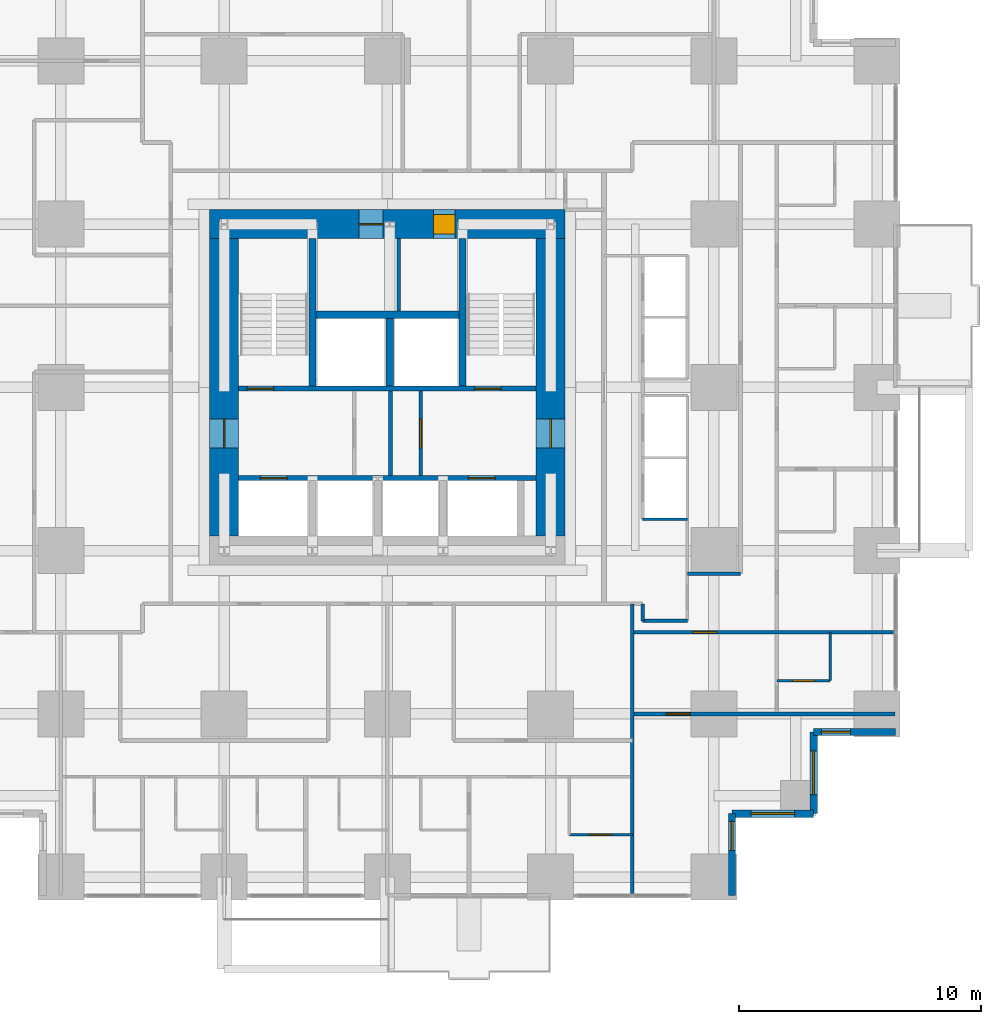
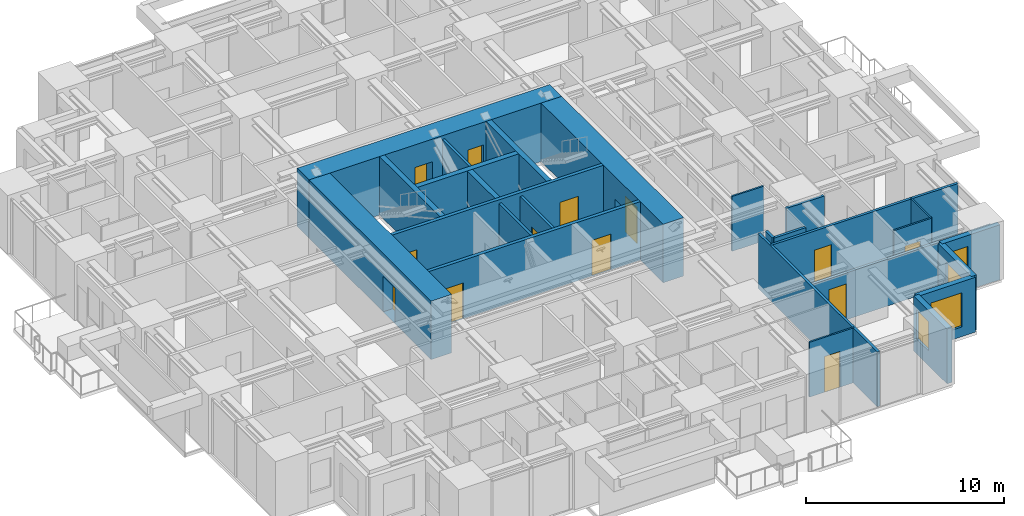
# One storey, part 10 of 14: 26 walls, 13 doors, 4 windows, 17 openings.
"""IFC4 building model written with IfcOpenShell, lengths in metres."""

from ifc_helpers import new_model, si_unit, direction, frame, frame_2d, origin, place, context, subcontext, project, spatial, rectangle, extrude, material, layer, layer_set, type_object, element, fill, save


model = new_model("IFC4")

# Units and contexts
model_context = context("Model", 3, precision=1e-05, world=origin(), true_north=direction((0.0, 1.0)))
body_context = subcontext(model_context, "Body", "Model", "MODEL_VIEW")
ifc_project = project(units=[si_unit("LENGTHUNIT", "METRE"), si_unit("AREAUNIT", "SQUARE_METRE"), si_unit("VOLUMEUNIT", "CUBIC_METRE"), si_unit("PLANEANGLEUNIT", "RADIAN"), si_unit("MASSUNIT", "GRAM", prefix="KILO")], contexts=[model_context])

# Site, building, storey
site_placement = place(None, origin())
site = spatial("IfcSite", under=ifc_project, at=site_placement, CompositionType="ELEMENT")
building_placement = place(site_placement, origin())
building = spatial("IfcBuilding", under=site, at=building_placement, Name="Nyansa Garden Tower", CompositionType="ELEMENT")
storey_placement = place(building_placement, frame((0.0, 0.0, 21.60009765625)))
storey = spatial("IfcBuildingStorey", under=building, at=storey_placement, Name="L05", CompositionType="ELEMENT", Elevation=21.60009765625)

# Wall, openings, doors
ifc_material_1 = material(Name="Concrete C70/85", Category="concrete")
ifc_layer_1 = layer(ifc_material_1, 0.199951171875)
ifc_layer_set_1 = layer_set([ifc_layer_1], Name="Core inner wall CI200")
wall_type_1 = type_object("IfcWallType", Name="Core inner wall CI200", PredefinedType="SHEAR", material=ifc_layer_set_1)
wall_1_placement = place(storey_placement, frame((14.10009765625, 16.5, 0.0), z_axis=(0.0, 0.0, 1.0), x_axis=(1.0, 0.0, 0.0)))
wall_1 = element("IfcWall", 1, at=wall_1_placement, inside=storey, type_object=wall_type_1, Name="Core inner wall L05", PredefinedType="SHEAR", context=body_context, shape_type="SweptSolid", body=[
    extrude(rectangle(XDim=12.2998046875, YDim=0.199951171875, at=frame_2d((6.14990234375, 0.0))), origin(), (0.0, 0.0, 1.0), 3.599853515625),
])
opening_1_placement = place(wall_1_placement, frame((0.89990234375, 0.0, 0.0)))
opening_1 = element("IfcOpeningElement", 2, at=opening_1_placement, cuts=wall_1, Name="Opening LD-F", PredefinedType="OPENING", context=body_context, shape_type="SweptSolid", body=[
    extrude(rectangle(XDim=1.10009765625, YDim=2.199951171875, at=frame_2d((0.550048828125, 1.10009765625))), frame((0.0, 0.10986328125, 0.0), z_axis=(0.0, -1.0, 0.0), x_axis=(1.0, 0.0, 0.0)), (0.0, 0.0, 1.0), 0.219970703125),
])
opening_2_placement = place(wall_1_placement, frame((9.5, 0.0, 0.0)))
opening_2 = element("IfcOpeningElement", 3, at=opening_2_placement, cuts=wall_1, Name="Opening LD-F", PredefinedType="OPENING", context=body_context, shape_type="SweptSolid", body=[
    extrude(rectangle(XDim=1.10009765625, YDim=2.199951171875, at=frame_2d((0.550048828125, 1.10009765625))), frame((0.0, 0.10986328125, 0.0), z_axis=(0.0, -1.0, 0.0), x_axis=(1.0, 0.0, 0.0)), (0.0, 0.0, 1.0), 0.219970703125),
])
ifc_material_2 = material(Name="Stainless steel centre-opening landing door of the firefighting lift, EN 81-72, E 120", Category="steel")
door_type_1 = type_object("IfcDoorType", Name="Lift landing door LD-F 1100x2200", OperationType="DOUBLE_DOOR_SLIDING", PredefinedType="DOOR", material=ifc_material_2)
door_1_placement = place(opening_1_placement, origin())
door_1 = element("IfcDoor", 4, at=door_1_placement, inside=storey, type_object=door_type_1, Name="Landing door FF1", OperationType="DOUBLE_DOOR_SLIDING", OverallHeight=2.199951171875, OverallWidth=1.10009765625, PredefinedType="DOOR", context=body_context, shape_type="SweptSolid", body=[
    extrude(rectangle(XDim=1.10009765625, YDim=2.199951171875, at=frame_2d((0.550048828125, 1.10009765625))), frame((0.0, 0.02490234375, 0.0), z_axis=(0.0, -1.0, 0.0), x_axis=(1.0, 0.0, 0.0)), (0.0, 0.0, 1.0), 0.050048828125),
])
fill(opening_1, door_1)
door_2_placement = place(opening_2_placement, origin())
door_2 = element("IfcDoor", 5, at=door_2_placement, inside=storey, type_object=door_type_1, Name="Landing door FF2", OperationType="DOUBLE_DOOR_SLIDING", OverallHeight=2.199951171875, OverallWidth=1.10009765625, PredefinedType="DOOR", context=body_context, shape_type="SweptSolid", body=[
    extrude(rectangle(XDim=1.10009765625, YDim=2.199951171875, at=frame_2d((0.550048828125, 1.10009765625))), frame((0.0, 0.02490234375, 0.0), z_axis=(0.0, -1.0, 0.0), x_axis=(1.0, 0.0, 0.0)), (0.0, 0.0, 1.0), 0.050048828125),
])
fill(opening_2, door_2)

wall_2_placement = place(storey_placement, frame((14.10009765625, 20.199951171875, 0.0), z_axis=(0.0, 0.0, 1.0), x_axis=(1.0, 0.0, 0.0)))
wall_2 = element("IfcWall", 6, at=wall_2_placement, inside=storey, type_object=wall_type_1, Name="Core inner wall L05", PredefinedType="SHEAR", context=body_context, shape_type="SweptSolid", body=[
    extrude(rectangle(XDim=12.2998046875, YDim=0.199951171875, at=frame_2d((6.14990234375, 0.0))), origin(), (0.0, 0.0, 1.0), 3.599853515625),
])
opening_3_placement = place(wall_2_placement, frame((0.35009765625, 0.0, 0.0)))
opening_3 = element("IfcOpeningElement", 7, at=opening_3_placement, cuts=wall_2, Name="Opening D05", PredefinedType="OPENING", context=body_context, shape_type="SweptSolid", body=[
    extrude(rectangle(XDim=1.10009765625, YDim=2.199951171875, at=frame_2d((0.550048828125, 1.10009765625))), frame((0.0, 0.10986328125, 0.0), z_axis=(0.0, -1.0, 0.0), x_axis=(1.0, 0.0, 0.0)), (0.0, 0.0, 1.0), 0.219970703125),
])
opening_4_placement = place(wall_2_placement, frame((9.75, 0.0, 0.0)))
opening_4 = element("IfcOpeningElement", 8, at=opening_4_placement, cuts=wall_2, Name="Opening D05", PredefinedType="OPENING", context=body_context, shape_type="SweptSolid", body=[
    extrude(rectangle(XDim=1.10009765625, YDim=2.199951171875, at=frame_2d((0.550048828125, 1.10009765625))), frame((0.0, 0.10986328125, 0.0), z_axis=(0.0, -1.0, 0.0), x_axis=(1.0, 0.0, 0.0)), (0.0, 0.0, 1.0), 0.219970703125),
])
ifc_material_3 = material(Name="Steel door, 120 minute fire resisting", Category="steel")
door_type_2 = type_object("IfcDoorType", Name="Stair door D05 1100x2200", OperationType="SINGLE_SWING_LEFT", PredefinedType="DOOR", material=ifc_material_3)
door_3_placement = place(opening_3_placement, origin())
door_3 = element("IfcDoor", 9, at=door_3_placement, inside=storey, type_object=door_type_2, Name="Stair S1 door", OperationType="SINGLE_SWING_LEFT", OverallHeight=2.199951171875, OverallWidth=1.10009765625, PredefinedType="DOOR", context=body_context, shape_type="SweptSolid", body=[
    extrude(rectangle(XDim=1.10009765625, YDim=2.199951171875, at=frame_2d((0.550048828125, 1.10009765625))), frame((0.0, 0.02490234375, 0.0), z_axis=(0.0, -1.0, 0.0), x_axis=(1.0, 0.0, 0.0)), (0.0, 0.0, 1.0), 0.050048828125),
])
fill(opening_3, door_3)
door_4_placement = place(opening_4_placement, origin())
door_4 = element("IfcDoor", 10, at=door_4_placement, inside=storey, type_object=door_type_2, Name="Stair S2 door", OperationType="SINGLE_SWING_LEFT", OverallHeight=2.199951171875, OverallWidth=1.10009765625, PredefinedType="DOOR", context=body_context, shape_type="SweptSolid", body=[
    extrude(rectangle(XDim=1.10009765625, YDim=2.199951171875, at=frame_2d((0.550048828125, 1.10009765625))), frame((0.0, 0.02490234375, 0.0), z_axis=(0.0, -1.0, 0.0), x_axis=(1.0, 0.0, 0.0)), (0.0, 0.0, 1.0), 0.050048828125),
])
fill(opening_4, door_4)

# Walls
ifc_material_4 = material(Name="Concrete C70/85", Category="concrete")
ifc_layer_2 = layer(ifc_material_4, 0.300048828125)
ifc_layer_set_2 = layer_set([ifc_layer_2], Name="Core inner wall CI300")
wall_type_2 = type_object("IfcWallType", Name="Core inner wall CI300", PredefinedType="SHEAR", material=ifc_layer_set_2)
for number, where, z_axis, x_axis, name in (
    (11, (17.14990234375, 20.300048828125, 0.0), (0.0, 0.0, 1.0), (0.0, 1.0, 0.0), "Core inner wall L05"),
    (12, (23.35009765625, 20.300048828125, 0.0), (0.0, 0.0, 1.0), (0.0, 1.0, 0.0), "Core inner wall L05"),
):
    element("IfcWall", number, at=place(storey_placement, frame(where, z_axis=z_axis, x_axis=x_axis)), inside=storey, type_object=wall_type_2, Name=name, PredefinedType="SHEAR", context=body_context, shape_type="SweptSolid", body=[
        extrude(rectangle(XDim=6.099853515625, YDim=0.300048828125, at=frame_2d((3.0498046875, 0.0))), origin(), (0.0, 0.0, 1.0), 3.599853515625),
    ])
wall_3_placement = place(storey_placement, frame((20.35009765625, 20.300048828125, 0.0), z_axis=(0.0, 0.0, 1.0), x_axis=(0.0, 1.0, 0.0)))
element("IfcWall", 13, at=wall_3_placement, inside=storey, type_object=wall_type_2, Name="Core inner wall L05", PredefinedType="SHEAR", context=body_context, shape_type="SweptSolid", body=[
    extrude(rectangle(XDim=2.800048828125, YDim=0.300048828125, at=frame_2d((1.39990234375, 0.0))), origin(), (0.0, 0.0, 1.0), 3.599853515625),
])
wall_4_placement = place(storey_placement, frame((17.300048828125, 23.25, 0.0), z_axis=(0.0, 0.0, 1.0), x_axis=(1.0, 0.0, 0.0)))
element("IfcWall", 14, at=wall_4_placement, inside=storey, type_object=wall_type_2, Name="Core inner wall L05", PredefinedType="SHEAR", context=body_context, shape_type="SweptSolid", body=[
    extrude(rectangle(XDim=5.89990234375, YDim=0.300048828125, at=frame_2d((2.949951171875, 0.0))), origin(), (0.0, 0.0, 1.0), 3.599853515625),
])

# Wall, opening, door
ifc_material_5 = material(Name="Concrete C80/95", Category="concrete")
ifc_layer_3 = layer(ifc_material_5, 1.199951171875)
ifc_layer_set_3 = layer_set([ifc_layer_3], Name="Core wall CW1200")
wall_type_3 = type_object("IfcWallType", Name="Core wall CW1200", PredefinedType="SHEAR", material=ifc_layer_set_3)
wall_5_placement = place(storey_placement, frame((27.0, 14.10009765625, 0.0), z_axis=(0.0, 0.0, 1.0), x_axis=(0.0, 1.0, 0.0)))
wall_5 = element("IfcWall", 15, at=wall_5_placement, inside=storey, type_object=wall_type_3, Name="Core wall E L05", PredefinedType="SHEAR", context=body_context, shape_type="SweptSolid", body=[
    extrude(rectangle(XDim=12.2998046875, YDim=1.199951171875, at=frame_2d((6.14990234375, 0.0))), origin(), (0.0, 0.0, 1.0), 3.599853515625),
])
opening_5_placement = place(wall_5_placement, frame((3.64990234375, 0.0, 0.0)))
opening_5 = element("IfcOpeningElement", 16, at=opening_5_placement, cuts=wall_5, Name="Opening D06", PredefinedType="OPENING", context=body_context, shape_type="SweptSolid", body=[
    extrude(rectangle(XDim=1.199951171875, YDim=2.199951171875, at=frame_2d((0.60009765625, 1.10009765625))), frame((0.0, 0.60986328125, 0.0), z_axis=(0.0, -1.0, 0.0), x_axis=(1.0, 0.0, 0.0)), (0.0, 0.0, 1.0), 1.219970703125),
])
ifc_material_6 = material(Name="Steel door, 120 minute fire resisting", Category="steel")
door_type_3 = type_object("IfcDoorType", Name="Lobby door D06 1200x2200", OperationType="DOUBLE_DOOR_SINGLE_SWING", PredefinedType="DOOR", material=ifc_material_6)
door_5_placement = place(opening_5_placement, origin())
door_5 = element("IfcDoor", 17, at=door_5_placement, inside=storey, type_object=door_type_3, Name="Lift lobby door east", OperationType="DOUBLE_DOOR_SINGLE_SWING", OverallHeight=2.199951171875, OverallWidth=1.199951171875, PredefinedType="DOOR", context=body_context, shape_type="SweptSolid", body=[
    extrude(rectangle(XDim=1.199951171875, YDim=2.199951171875, at=frame_2d((0.60009765625, 1.10009765625))), frame((0.0, 0.02490234375, 0.0), z_axis=(0.0, -1.0, 0.0), x_axis=(1.0, 0.0, 0.0)), (0.0, 0.0, 1.0), 0.050048828125),
])
fill(opening_5, door_5)

# Wall, openings, doors
wall_6_placement = place(storey_placement, frame((27.60009765625, 27.0, 0.0), z_axis=(0.0, 0.0, 1.0), x_axis=(-1.0, 0.0, 0.0)))
wall_6 = element("IfcWall", 18, at=wall_6_placement, inside=storey, type_object=wall_type_3, Name="Core wall N L05", PredefinedType="SHEAR", context=body_context, shape_type="SweptSolid", body=[
    extrude(rectangle(XDim=14.7001953125, YDim=1.199951171875, at=frame_2d((7.35009765625, 0.0))), origin(), (0.0, 0.0, 1.0), 3.599853515625),
])
opening_6_placement = place(wall_6_placement, frame((4.550048828125, 0.0, 0.0)))
opening_6 = element("IfcOpeningElement", 19, at=opening_6_placement, cuts=wall_6, Name="Opening D15", PredefinedType="OPENING", context=body_context, shape_type="SweptSolid", body=[
    extrude(rectangle(XDim=0.89990234375, YDim=2.199951171875, at=frame_2d((0.449951171875, 1.10009765625))), frame((0.0, 0.60986328125, 0.0), z_axis=(0.0, -1.0, 0.0), x_axis=(1.0, 0.0, 0.0)), (0.0, 0.0, 1.0), 1.219970703125),
])
opening_7_placement = place(wall_6_placement, frame((7.52490234375, 0.0, 0.0)))
opening_7 = element("IfcOpeningElement", 20, at=opening_7_placement, cuts=wall_6, Name="Opening D07", PredefinedType="OPENING", context=body_context, shape_type="SweptSolid", body=[
    extrude(rectangle(XDim=1.0, YDim=2.199951171875, at=frame_2d((0.5, 1.10009765625))), frame((0.0, 0.60986328125, 0.0), z_axis=(0.0, -1.0, 0.0), x_axis=(1.0, 0.0, 0.0)), (0.0, 0.0, 1.0), 1.219970703125),
])
ifc_material_7 = material(Name="Timber flush door, 60 minute fire resisting, self-closing", Category="wood")
door_type_4 = type_object("IfcDoorType", Name="Core room door D15 900x2200", OperationType="SINGLE_SWING_LEFT", PredefinedType="DOOR", material=ifc_material_7)
door_6_placement = place(opening_6_placement, origin())
door_6 = element("IfcDoor", 21, at=door_6_placement, inside=storey, type_object=door_type_4, Name="Core room door", OperationType="SINGLE_SWING_LEFT", OverallHeight=2.199951171875, OverallWidth=0.89990234375, PredefinedType="DOOR", context=body_context, shape_type="SweptSolid", body=[
    extrude(rectangle(XDim=0.89990234375, YDim=2.199951171875, at=frame_2d((0.449951171875, 1.10009765625))), frame((0.0, 0.39990234375, 0.0), z_axis=(0.0, -1.0, 0.0), x_axis=(1.0, 0.0, 0.0)), (0.0, 0.0, 1.0), 0.800048828125),
])
fill(opening_6, door_6)
ifc_material_8 = material(Name="Steel door, 120 minute fire resisting", Category="steel")
door_type_5 = type_object("IfcDoorType", Name="Riser door D07 1000x2200", OperationType="SINGLE_SWING_LEFT", PredefinedType="DOOR", material=ifc_material_8)
door_7_placement = place(opening_7_placement, origin())
door_7 = element("IfcDoor", 22, at=door_7_placement, inside=storey, type_object=door_type_5, Name="Riser and refuse room door", OperationType="SINGLE_SWING_LEFT", OverallHeight=2.199951171875, OverallWidth=1.0, PredefinedType="DOOR", context=body_context, shape_type="SweptSolid", body=[
    extrude(rectangle(XDim=1.0, YDim=2.199951171875, at=frame_2d((0.5, 1.10009765625))), frame((0.0, 0.02490234375, 0.0), z_axis=(0.0, -1.0, 0.0), x_axis=(1.0, 0.0, 0.0)), (0.0, 0.0, 1.0), 0.050048828125),
])
fill(opening_7, door_7)

# Wall, opening, door
wall_7_placement = place(storey_placement, frame((13.5, 26.39990234375, 0.0), z_axis=(0.0, 0.0, 1.0), x_axis=(0.0, -1.0, 0.0)))
wall_7 = element("IfcWall", 23, at=wall_7_placement, inside=storey, type_object=wall_type_3, Name="Core wall W L05", PredefinedType="SHEAR", context=body_context, shape_type="SweptSolid", body=[
    extrude(rectangle(XDim=12.2998046875, YDim=1.199951171875, at=frame_2d((6.14990234375, 0.0))), origin(), (0.0, 0.0, 1.0), 3.599853515625),
])
opening_8_placement = place(wall_7_placement, frame((7.449951171875, 0.0, 0.0)))
opening_8 = element("IfcOpeningElement", 24, at=opening_8_placement, cuts=wall_7, Name="Opening D06", PredefinedType="OPENING", context=body_context, shape_type="SweptSolid", body=[
    extrude(rectangle(XDim=1.199951171875, YDim=2.199951171875, at=frame_2d((0.60009765625, 1.10009765625))), frame((0.0, 0.60986328125, 0.0), z_axis=(0.0, -1.0, 0.0), x_axis=(1.0, 0.0, 0.0)), (0.0, 0.0, 1.0), 1.219970703125),
])
door_8_placement = place(opening_8_placement, origin())
door_8 = element("IfcDoor", 25, at=door_8_placement, inside=storey, type_object=door_type_3, Name="Lift lobby door west", OperationType="DOUBLE_DOOR_SINGLE_SWING", OverallHeight=2.199951171875, OverallWidth=1.199951171875, PredefinedType="DOOR", context=body_context, shape_type="SweptSolid", body=[
    extrude(rectangle(XDim=1.199951171875, YDim=2.199951171875, at=frame_2d((0.60009765625, 1.10009765625))), frame((0.0, 0.02490234375, 0.0), z_axis=(0.0, -1.0, 0.0), x_axis=(1.0, 0.0, 0.0)), (0.0, 0.0, 1.0), 0.050048828125),
])
fill(opening_8, door_8)

# Wall
ifc_material_9 = material(Name="Steel-stud shaft wall, two layers fire-rated board, EI 120", Category="steel")
ifc_layer_4 = layer(ifc_material_9, 0.10009765625)
ifc_layer_set_4 = layer_set([ifc_layer_4], Name="Lift shaft wall SW100")
wall_type_4 = type_object("IfcWallType", Name="Lift shaft wall SW100", PredefinedType="SHEAR", material=ifc_layer_set_4)
wall_8_placement = place(storey_placement, frame((30.800048828125, 14.800048828125, 0.0), z_axis=(0.0, 0.0, 1.0), x_axis=(1.0, 0.0, 0.0)))
element("IfcWall", 26, at=wall_8_placement, inside=storey, type_object=wall_type_4, Name="Lift shaft wall", PredefinedType="SHEAR", context=body_context, shape_type="SweptSolid", body=[
    extrude(rectangle(XDim=1.849853515625, YDim=0.10009765625, at=frame_2d((0.9248046875, 0.0))), origin(), (0.0, 0.0, 1.0), 3.375),
])

# Wall, opening, door
ifc_material_10 = material(Name="Blockwork, plastered both sides", Category="masonry")
ifc_layer_5 = layer(ifc_material_10, 0.14990234375)
ifc_layer_set_5 = layer_set([ifc_layer_5], Name="Partition PW150")
wall_type_5 = type_object("IfcWallType", Name="Partition PW150", PredefinedType="PARTITIONING", material=ifc_layer_set_5)
wall_9_placement = place(storey_placement, frame((21.625, 16.60009765625, 0.0), z_axis=(0.0, 0.0, 1.0), x_axis=(0.0, 1.0, 0.0)))
wall_9 = element("IfcWall", 27, at=wall_9_placement, inside=storey, type_object=wall_type_5, Name="Partition", PredefinedType="PARTITIONING", context=body_context, shape_type="SweptSolid", body=[
    extrude(rectangle(XDim=3.5, YDim=0.14990234375, at=frame_2d((1.75, 0.0))), origin(), (0.0, 0.0, 1.0), 3.375),
])
opening_9_placement = place(wall_9_placement, frame((1.14990234375, 0.0, 0.0)))
opening_9 = element("IfcOpeningElement", 28, at=opening_9_placement, cuts=wall_9, Name="Opening D06", PredefinedType="OPENING", context=body_context, shape_type="SweptSolid", body=[
    extrude(rectangle(XDim=1.199951171875, YDim=2.199951171875, at=frame_2d((0.60009765625, 1.10009765625))), frame((0.0, 0.0849609375, 0.0), z_axis=(0.0, -1.0, 0.0), x_axis=(1.0, 0.0, 0.0)), (0.0, 0.0, 1.0), 0.169921875),
])
door_9_placement = place(opening_9_placement, origin())
door_9 = element("IfcDoor", 29, at=door_9_placement, inside=storey, type_object=door_type_3, Name="Passenger lift lobby door", OperationType="DOUBLE_DOOR_SINGLE_SWING", OverallHeight=2.199951171875, OverallWidth=1.199951171875, PredefinedType="DOOR", context=body_context, shape_type="SweptSolid", body=[
    extrude(rectangle(XDim=1.199951171875, YDim=2.199951171875, at=frame_2d((0.60009765625, 1.10009765625))), frame((0.0, 0.02490234375, 0.0), z_axis=(0.0, -1.0, 0.0), x_axis=(1.0, 0.0, 0.0)), (0.0, 0.0, 1.0), 0.050048828125),
])
fill(opening_9, door_9)

# Walls
wall_10_placement = place(storey_placement, frame((20.3798828125, 16.60009765625, 0.0), z_axis=(0.0, 0.0, 1.0), x_axis=(0.0, 1.0, 0.0)))
element("IfcWall", 30, at=wall_10_placement, inside=storey, type_object=wall_type_5, Name="Partition", PredefinedType="PARTITIONING", context=body_context, shape_type="SweptSolid", body=[
    extrude(rectangle(XDim=3.5, YDim=0.14990234375, at=frame_2d((1.75, 0.0))), origin(), (0.0, 0.0, 1.0), 3.375),
])
wall_11_placement = place(storey_placement, frame((20.72509765625, 23.39990234375, 0.0), z_axis=(0.0, 0.0, 1.0), x_axis=(0.0, 1.0, 0.0)))
element("IfcWall", 31, at=wall_11_placement, inside=storey, type_object=wall_type_5, Name="Partition", PredefinedType="PARTITIONING", context=body_context, shape_type="SweptSolid", body=[
    extrude(rectangle(XDim=3.0, YDim=0.14990234375, at=frame_2d((1.5, 0.0))), origin(), (0.0, 0.0, 1.0), 3.375),
])
wall_12_placement = place(storey_placement, frame((30.375, -0.73388671875, 0.0), z_axis=(0.0, 0.0, 1.0), x_axis=(0.0, 1.0, 0.0)))
element("IfcWall", 32, at=wall_12_placement, inside=storey, type_object=wall_type_5, Name="Partition", PredefinedType="PARTITIONING", context=body_context, shape_type="SweptSolid", body=[
    extrude(rectangle(XDim=12.033935546875, YDim=0.14990234375, at=frame_2d((6.01708984375, 0.0))), origin(), (0.0, 0.0, 1.0), 3.375),
])

# Wall, opening, door
wall_13_placement = place(storey_placement, frame((30.375, 6.75, 0.0), z_axis=(0.0, 0.0, 1.0), x_axis=(1.0, 0.0, 0.0)))
wall_13 = element("IfcWall", 33, at=wall_13_placement, inside=storey, type_object=wall_type_5, Name="Partition", PredefinedType="PARTITIONING", context=body_context, shape_type="SweptSolid", body=[
    extrude(rectangle(XDim=10.85888671875, YDim=0.14990234375, at=frame_2d((5.429443359375, 0.0))), origin(), (0.0, 0.0, 1.0), 2.876953125),
])
opening_10_placement = place(wall_13_placement, frame((1.39990234375, 0.0, 0.0)))
opening_10 = element("IfcOpeningElement", 34, at=opening_10_placement, cuts=wall_13, Name="Opening D03", PredefinedType="OPENING", context=body_context, shape_type="SweptSolid", body=[
    extrude(rectangle(XDim=1.0, YDim=2.199951171875, at=frame_2d((0.5, 1.10009765625))), frame((0.0, 0.0849609375, 0.0), z_axis=(0.0, -1.0, 0.0), x_axis=(1.0, 0.0, 0.0)), (0.0, 0.0, 1.0), 0.169921875),
])
ifc_material_11 = material(Name="Timber flush door, 60 minute fire resisting", Category="wood")
door_type_6 = type_object("IfcDoorType", Name="Cluster entrance door D03 1000x2200", OperationType="SINGLE_SWING_LEFT", PredefinedType="DOOR", material=ifc_material_11)
door_10_placement = place(opening_10_placement, origin())
door_10 = element("IfcDoor", 35, at=door_10_placement, inside=storey, type_object=door_type_6, Name="Door L05-035", OperationType="SINGLE_SWING_LEFT", OverallHeight=2.199951171875, OverallWidth=1.0, PredefinedType="DOOR", context=body_context, shape_type="SweptSolid", body=[
    extrude(rectangle(XDim=1.0, YDim=2.199951171875, at=frame_2d((0.5, 1.10009765625))), frame((0.0, 0.02490234375, 0.0), z_axis=(0.0, -1.0, 0.0), x_axis=(1.0, 0.0, 0.0)), (0.0, 0.0, 1.0), 0.050048828125),
])
fill(opening_10, door_10)

wall_14_placement = place(storey_placement, frame((30.375, 10.125, 0.0), z_axis=(0.0, 0.0, 1.0), x_axis=(1.0, 0.0, 0.0)))
wall_14 = element("IfcWall", 36, at=wall_14_placement, inside=storey, type_object=wall_type_5, Name="Partition", PredefinedType="PARTITIONING", context=body_context, shape_type="SweptSolid", body=[
    extrude(rectangle(XDim=10.85888671875, YDim=0.14990234375, at=frame_2d((5.429443359375, 0.0))), origin(), (0.0, 0.0, 1.0), 3.375),
])
opening_11_placement = place(wall_14_placement, frame((2.5, 0.0, 0.0)))
opening_11 = element("IfcOpeningElement", 37, at=opening_11_placement, cuts=wall_14, Name="Opening D03", PredefinedType="OPENING", context=body_context, shape_type="SweptSolid", body=[
    extrude(rectangle(XDim=1.0, YDim=2.199951171875, at=frame_2d((0.5, 1.10009765625))), frame((0.0, 0.0849609375, 0.0), z_axis=(0.0, -1.0, 0.0), x_axis=(1.0, 0.0, 0.0)), (0.0, 0.0, 1.0), 0.169921875),
])
door_11_placement = place(opening_11_placement, origin())
door_11 = element("IfcDoor", 38, at=door_11_placement, inside=storey, type_object=door_type_6, Name="Door L05-038", OperationType="SINGLE_SWING_LEFT", OverallHeight=2.199951171875, OverallWidth=1.0, PredefinedType="DOOR", context=body_context, shape_type="SweptSolid", body=[
    extrude(rectangle(XDim=1.0, YDim=2.199951171875, at=frame_2d((0.5, 1.10009765625))), frame((0.0, 0.02490234375, 0.0), z_axis=(0.0, -1.0, 0.0), x_axis=(1.0, 0.0, 0.0)), (0.0, 0.0, 1.0), 0.050048828125),
])
fill(opening_11, door_11)

# Walls
wall_15_placement = place(storey_placement, frame((30.800048828125, 10.60009765625, 0.0), z_axis=(0.0, 0.0, 1.0), x_axis=(0.0, 1.0, 0.0)))
element("IfcWall", 39, at=wall_15_placement, inside=storey, type_object=wall_type_5, Name="Partition", PredefinedType="PARTITIONING", context=body_context, shape_type="SweptSolid", body=[
    extrude(rectangle(XDim=0.699951171875, YDim=0.14990234375, at=frame_2d((0.35009765625, 0.0))), origin(), (0.0, 0.0, 1.0), 3.375),
])
wall_16_placement = place(storey_placement, frame((30.800048828125, 10.60009765625, 0.0), z_axis=(0.0, 0.0, 1.0), x_axis=(1.0, 0.0, 0.0)))
element("IfcWall", 40, at=wall_16_placement, inside=storey, type_object=wall_type_5, Name="Partition", PredefinedType="PARTITIONING", context=body_context, shape_type="SweptSolid", body=[
    extrude(rectangle(XDim=1.849853515625, YDim=0.14990234375, at=frame_2d((0.9248046875, 0.0))), origin(), (0.0, 0.0, 1.0), 3.375),
])
wall_17_placement = place(storey_placement, frame((32.64990234375, 12.550048828125, 0.0), z_axis=(0.0, 0.0, 1.0), x_axis=(1.0, 0.0, 0.0)))
element("IfcWall", 41, at=wall_17_placement, inside=storey, type_object=wall_type_5, Name="Partition", PredefinedType="PARTITIONING", context=body_context, shape_type="SweptSolid", body=[
    extrude(rectangle(XDim=2.2001953125, YDim=0.14990234375, at=frame_2d((1.10009765625, 0.0))), origin(), (0.0, 0.0, 1.0), 3.375),
])

# Wall, opening, window
ifc_material_12 = material(Name="Turquoise glazed tile on concrete blockwork", Category="masonry")
ifc_layer_6 = layer(ifc_material_12, 0.300048828125)
ifc_layer_set_6 = layer_set([ifc_layer_6], Name="Tiled corner wall TW300")
wall_type_6 = type_object("IfcWallType", Name="Tiled corner wall TW300", PredefinedType="SOLIDWALL", material=ifc_layer_set_6)
wall_18_placement = place(storey_placement, frame((34.5, -0.75, 0.0), z_axis=(0.0, 0.0, 1.0), x_axis=(0.0, 1.0, 0.0)))
wall_18 = element("IfcWall", 42, at=wall_18_placement, inside=storey, type_object=wall_type_6, Name="Tiled corner wall L05", PredefinedType="SOLIDWALL", context=body_context, shape_type="SweptSolid", body=[
    extrude(rectangle(XDim=3.375, YDim=0.300048828125, at=frame_2d((1.6875, 0.0))), origin(), (0.0, 0.0, 1.0), 3.375),
])
opening_12_placement = place(wall_18_placement, frame((1.857421875, 0.0, 0.89990234375)))
opening_12 = element("IfcOpeningElement", 43, at=opening_12_placement, cuts=wall_18, Name="Opening W4", PredefinedType="OPENING", context=body_context, shape_type="SweptSolid", body=[
    extrude(rectangle(XDim=1.199951171875, YDim=1.800048828125, at=frame_2d((0.60009765625, 0.89990234375))), frame((0.0, 0.159912109375, 0.0), z_axis=(0.0, -1.0, 0.0), x_axis=(1.0, 0.0, 0.0)), (0.0, 0.0, 1.0), 0.320068359375),
])
ifc_material_13 = material(Name="Black aluminium frame, dark tinted double glazing", Category="aluminium")
window_type_1 = type_object("IfcWindowType", Name="Window W4 1200x1800", PartitioningType="SINGLE_PANEL", PredefinedType="WINDOW", material=ifc_material_13)
window_1_placement = place(opening_12_placement, origin())
window_1 = element("IfcWindow", 44, at=window_1_placement, inside=storey, type_object=window_type_1, Name="Corner window L05", OverallHeight=1.800048828125, OverallWidth=1.199951171875, PartitioningType="SINGLE_PANEL", PredefinedType="WINDOW", context=body_context, shape_type="SweptSolid", body=[
    extrude(rectangle(XDim=1.199951171875, YDim=1.800048828125, at=frame_2d((0.60009765625, 0.89990234375))), frame((0.0, 0.030029296875, 0.0), z_axis=(0.0, -1.0, 0.0), x_axis=(1.0, 0.0, 0.0)), (0.0, 0.0, 1.0), 0.06005859375),
])
fill(opening_12, window_1)

wall_19_placement = place(storey_placement, frame((34.5, 2.625, 0.0), z_axis=(0.0, 0.0, 1.0), x_axis=(1.0, 0.0, 0.0)))
wall_19 = element("IfcWall", 45, at=wall_19_placement, inside=storey, type_object=wall_type_6, Name="Tiled corner wall L05", PredefinedType="SOLIDWALL", context=body_context, shape_type="SweptSolid", body=[
    extrude(rectangle(XDim=3.375, YDim=0.300048828125, at=frame_2d((1.6875, 0.0))), origin(), (0.0, 0.0, 1.0), 3.375),
])
opening_13_placement = place(wall_19_placement, frame((0.78759765625, 0.0, 0.60009765625)))
opening_13 = element("IfcOpeningElement", 46, at=opening_13_placement, cuts=wall_19, Name="Opening W2", PredefinedType="OPENING", context=body_context, shape_type="SweptSolid", body=[
    extrude(rectangle(XDim=1.800048828125, YDim=2.10009765625, at=frame_2d((0.89990234375, 1.050048828125))), frame((0.0, 0.159912109375, 0.0), z_axis=(0.0, -1.0, 0.0), x_axis=(1.0, 0.0, 0.0)), (0.0, 0.0, 1.0), 0.320068359375),
])
ifc_material_14 = material(Name="Black aluminium frame, dark tinted double glazing", Category="aluminium")
window_type_2 = type_object("IfcWindowType", Name="Window W2 1800x2100", PartitioningType="SINGLE_PANEL", PredefinedType="WINDOW", material=ifc_material_14)
window_2_placement = place(opening_13_placement, origin())
window_2 = element("IfcWindow", 47, at=window_2_placement, inside=storey, type_object=window_type_2, Name="Corner window L05", OverallHeight=2.10009765625, OverallWidth=1.800048828125, PartitioningType="SINGLE_PANEL", PredefinedType="WINDOW", context=body_context, shape_type="SweptSolid", body=[
    extrude(rectangle(XDim=1.800048828125, YDim=2.10009765625, at=frame_2d((0.89990234375, 1.050048828125))), frame((0.0, 0.030029296875, 0.0), z_axis=(0.0, -1.0, 0.0), x_axis=(1.0, 0.0, 0.0)), (0.0, 0.0, 1.0), 0.06005859375),
])
fill(opening_13, window_2)

wall_20_placement = place(storey_placement, frame((37.875, 2.625, 0.0), z_axis=(0.0, 0.0, 1.0), x_axis=(0.0, 1.0, 0.0)))
wall_20 = element("IfcWall", 48, at=wall_20_placement, inside=storey, type_object=wall_type_6, Name="Tiled corner wall L05", PredefinedType="SOLIDWALL", context=body_context, shape_type="SweptSolid", body=[
    extrude(rectangle(XDim=3.375, YDim=0.300048828125, at=frame_2d((1.6875, 0.0))), origin(), (0.0, 0.0, 1.0), 3.375),
])
opening_14_placement = place(wall_20_placement, frame((0.78759765625, 0.0, 0.60009765625)))
opening_14 = element("IfcOpeningElement", 49, at=opening_14_placement, cuts=wall_20, Name="Opening W2", PredefinedType="OPENING", context=body_context, shape_type="SweptSolid", body=[
    extrude(rectangle(XDim=1.800048828125, YDim=2.10009765625, at=frame_2d((0.89990234375, 1.050048828125))), frame((0.0, 0.159912109375, 0.0), z_axis=(0.0, -1.0, 0.0), x_axis=(1.0, 0.0, 0.0)), (0.0, 0.0, 1.0), 0.320068359375),
])
window_3_placement = place(opening_14_placement, origin())
window_3 = element("IfcWindow", 50, at=window_3_placement, inside=storey, type_object=window_type_2, Name="Corner window L05", OverallHeight=2.10009765625, OverallWidth=1.800048828125, PartitioningType="SINGLE_PANEL", PredefinedType="WINDOW", context=body_context, shape_type="SweptSolid", body=[
    extrude(rectangle(XDim=1.800048828125, YDim=2.10009765625, at=frame_2d((0.89990234375, 1.050048828125))), frame((0.0, 0.030029296875, 0.0), z_axis=(0.0, -1.0, 0.0), x_axis=(1.0, 0.0, 0.0)), (0.0, 0.0, 1.0), 0.06005859375),
])
fill(opening_14, window_3)

wall_21_placement = place(storey_placement, frame((37.875, 6.0, 0.0), z_axis=(0.0, 0.0, 1.0), x_axis=(1.0, 0.0, 0.0)))
wall_21 = element("IfcWall", 51, at=wall_21_placement, inside=storey, type_object=wall_type_6, Name="Tiled corner wall L05", PredefinedType="SOLIDWALL", context=body_context, shape_type="SweptSolid", body=[
    extrude(rectangle(XDim=3.375, YDim=0.300048828125, at=frame_2d((1.6875, 0.0))), origin(), (0.0, 0.0, 1.0), 3.375),
])
opening_15_placement = place(wall_21_placement, frame((0.3173828125, 0.0, 0.89990234375)))
opening_15 = element("IfcOpeningElement", 52, at=opening_15_placement, cuts=wall_21, Name="Opening W4", PredefinedType="OPENING", context=body_context, shape_type="SweptSolid", body=[
    extrude(rectangle(XDim=1.199951171875, YDim=1.800048828125, at=frame_2d((0.60009765625, 0.89990234375))), frame((0.0, 0.159912109375, 0.0), z_axis=(0.0, -1.0, 0.0), x_axis=(1.0, 0.0, 0.0)), (0.0, 0.0, 1.0), 0.320068359375),
])
window_4_placement = place(opening_15_placement, origin())
window_4 = element("IfcWindow", 53, at=window_4_placement, inside=storey, type_object=window_type_1, Name="Corner window L05", OverallHeight=1.800048828125, OverallWidth=1.199951171875, PartitioningType="SINGLE_PANEL", PredefinedType="WINDOW", context=body_context, shape_type="SweptSolid", body=[
    extrude(rectangle(XDim=1.199951171875, YDim=1.800048828125, at=frame_2d((0.60009765625, 0.89990234375))), frame((0.0, 0.030029296875, 0.0), z_axis=(0.0, -1.0, 0.0), x_axis=(1.0, 0.0, 0.0)), (0.0, 0.0, 1.0), 0.06005859375),
])
fill(opening_15, window_4)

# Wall, opening, door
ifc_material_15 = material(Name="Moisture resistant board on steel studs, tiled", Category="steel")
ifc_layer_7 = layer(ifc_material_15, 0.10009765625)
ifc_layer_set_7 = layer_set([ifc_layer_7], Name="Wet wall PW100")
wall_type_7 = type_object("IfcWallType", Name="Wet wall PW100", PredefinedType="PARTITIONING", material=ifc_layer_set_7)
wall_22_placement = place(storey_placement, frame((27.77490234375, 1.75, 0.0), z_axis=(0.0, 0.0, 1.0), x_axis=(1.0, 0.0, 0.0)))
wall_22 = element("IfcWall", 54, at=wall_22_placement, inside=storey, type_object=wall_type_7, Name="Wet wall", PredefinedType="PARTITIONING", context=body_context, shape_type="SweptSolid", body=[
    extrude(rectangle(XDim=2.60009765625, YDim=0.10009765625, at=frame_2d((1.300048828125, 0.0))), origin(), (0.0, 0.0, 1.0), 3.375),
])
opening_16_placement = place(wall_22_placement, frame((0.85009765625, 0.0, 0.0)))
opening_16 = element("IfcOpeningElement", 55, at=opening_16_placement, cuts=wall_22, Name="Opening D02", PredefinedType="OPENING", context=body_context, shape_type="SweptSolid", body=[
    extrude(rectangle(XDim=0.89990234375, YDim=2.199951171875, at=frame_2d((0.449951171875, 1.10009765625))), frame((0.0, 0.06005859375, 0.0), z_axis=(0.0, -1.0, 0.0), x_axis=(1.0, 0.0, 0.0)), (0.0, 0.0, 1.0), 0.1201171875),
])
ifc_material_16 = material(Name="Timber flush door", Category="wood")
door_type_7 = type_object("IfcDoorType", Name="En-suite door D02 900x2200", OperationType="SINGLE_SWING_RIGHT", PredefinedType="DOOR", material=ifc_material_16)
door_12_placement = place(opening_16_placement, origin())
door_12 = element("IfcDoor", 56, at=door_12_placement, inside=storey, type_object=door_type_7, Name="Door L05-029", OperationType="SINGLE_SWING_RIGHT", OverallHeight=2.199951171875, OverallWidth=0.89990234375, PredefinedType="DOOR", context=body_context, shape_type="SweptSolid", body=[
    extrude(rectangle(XDim=0.89990234375, YDim=2.199951171875, at=frame_2d((0.449951171875, 1.10009765625))), frame((0.0, 0.02490234375, 0.0), z_axis=(0.0, -1.0, 0.0), x_axis=(1.0, 0.0, 0.0)), (0.0, 0.0, 1.0), 0.050048828125),
])
fill(opening_16, door_12)

wall_23_placement = place(storey_placement, frame((36.35009765625, 8.125, 0.0), z_axis=(0.0, 0.0, 1.0), x_axis=(1.0, 0.0, 0.0)))
wall_23 = element("IfcWall", 57, at=wall_23_placement, inside=storey, type_object=wall_type_7, Name="Wet wall", PredefinedType="PARTITIONING", context=body_context, shape_type="SweptSolid", body=[
    extrude(rectangle(XDim=2.199951171875, YDim=0.10009765625, at=frame_2d((1.10009765625, 0.0))), origin(), (0.0, 0.0, 1.0), 3.375),
])
opening_17_placement = place(wall_23_placement, frame((0.64990234375, 0.0, 0.0)))
opening_17 = element("IfcOpeningElement", 58, at=opening_17_placement, cuts=wall_23, Name="Opening D02", PredefinedType="OPENING", context=body_context, shape_type="SweptSolid", body=[
    extrude(rectangle(XDim=0.89990234375, YDim=2.199951171875, at=frame_2d((0.449951171875, 1.10009765625))), frame((0.0, 0.06005859375, 0.0), z_axis=(0.0, -1.0, 0.0), x_axis=(1.0, 0.0, 0.0)), (0.0, 0.0, 1.0), 0.1201171875),
])
door_13_placement = place(opening_17_placement, origin())
door_13 = element("IfcDoor", 59, at=door_13_placement, inside=storey, type_object=door_type_7, Name="Door L05-037", OperationType="SINGLE_SWING_RIGHT", OverallHeight=2.199951171875, OverallWidth=0.89990234375, PredefinedType="DOOR", context=body_context, shape_type="SweptSolid", body=[
    extrude(rectangle(XDim=0.89990234375, YDim=2.199951171875, at=frame_2d((0.449951171875, 1.10009765625))), frame((0.0, 0.02490234375, 0.0), z_axis=(0.0, -1.0, 0.0), x_axis=(1.0, 0.0, 0.0)), (0.0, 0.0, 1.0), 0.050048828125),
])
fill(opening_17, door_13)

# Wall
wall_24_placement = place(storey_placement, frame((38.550048828125, 8.125, 0.0), z_axis=(0.0, 0.0, 1.0), x_axis=(0.0, 1.0, 0.0)))
element("IfcWall", 60, at=wall_24_placement, inside=storey, type_object=wall_type_7, Name="Wet wall", PredefinedType="PARTITIONING", context=body_context, shape_type="SweptSolid", body=[
    extrude(rectangle(XDim=2.0, YDim=0.10009765625, at=frame_2d((1.0, 0.0))), origin(), (0.0, 0.0, 1.0), 3.375),
])

save(model, "model.ifc")
